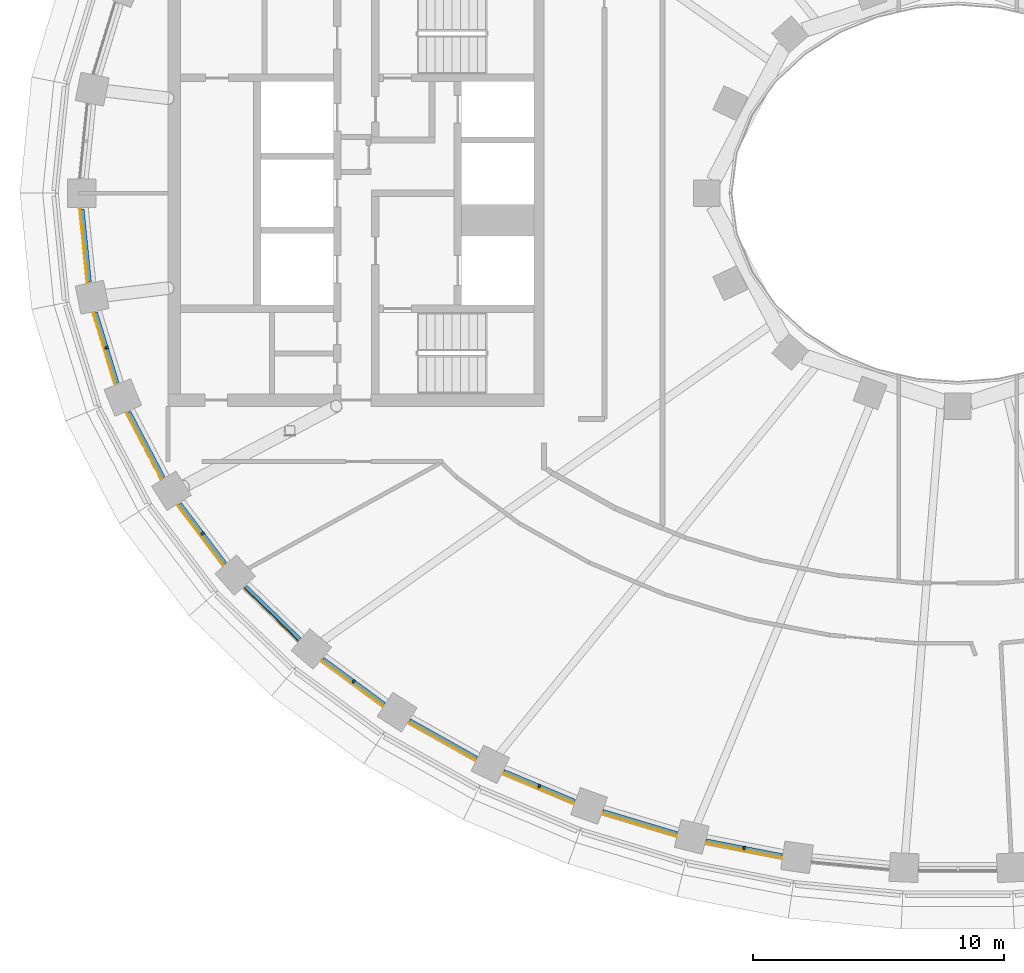
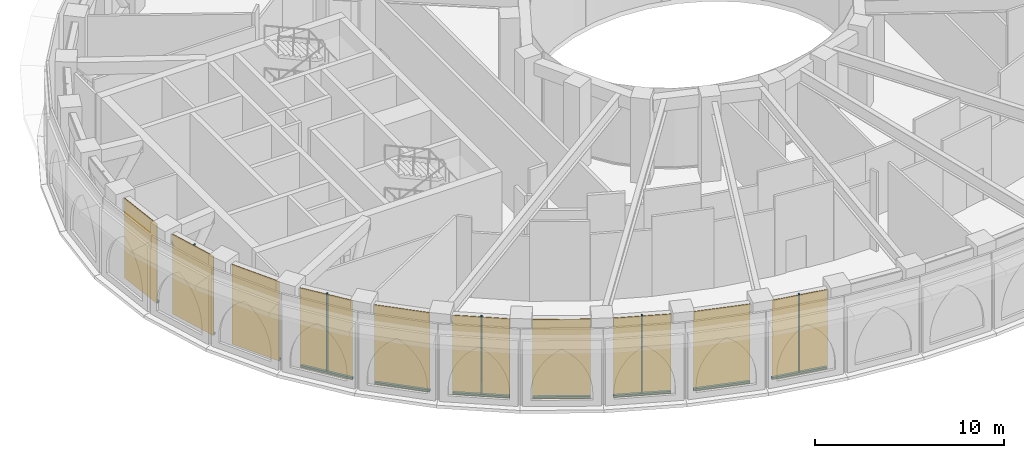
# One storey, part 12 of 25: 15 members, 10 curtain walls.
"""IFC4 building model written with IfcOpenShell, lengths in metres."""

from ifc_helpers import new_model, si_unit, direction, frame, origin, origin_2d, place, context, subcontext, project, spatial, polyline, rectangle, outline, extrude, material, layer, layer_set, material_profile, profile_set, type_object, element, aggregate, save


model = new_model("IFC4")

# Units and contexts
model_context = context("Model", 3, precision=1e-05, world=origin(), true_north=direction((0.0, 1.0)))
body_context = subcontext(model_context, "Body", "Model", "MODEL_VIEW")
ifc_project = project(units=[si_unit("LENGTHUNIT", "METRE"), si_unit("AREAUNIT", "SQUARE_METRE"), si_unit("VOLUMEUNIT", "CUBIC_METRE"), si_unit("PLANEANGLEUNIT", "RADIAN"), si_unit("MASSUNIT", "GRAM", prefix="KILO")], contexts=[model_context])

# Member
ifc_material_1 = material(Name="Aluminium 6063-T6 black anodised", Category="aluminium")
ifc_material_profile = material_profile(ifc_material_1, rectangle(XDim=0.14990234375, YDim=0.080078125, at=origin_2d()), Name="150x80")
ifc_profile_set = profile_set([ifc_material_profile], Name="Aluminium 6063-T6 black anodised")
member_type_1 = type_object("IfcMemberType", Name="ENV-MULLION-B-150", PredefinedType="MULLION", material=ifc_profile_set)
site_placement = place(None, origin())
building_placement = place(site_placement, origin())
storey_placement = place(building_placement, frame((0.0, 0.0, 198.0)))
member_1_placement = place(storey_placement, frame((-33.957275390625, -6.162109375, 0.1201171875), z_axis=(0.0, 0.0, 1.0), x_axis=(0.95636637957, 0.292170066961, 0.0)))
member_1 = element("IfcMember", 1, at=member_1_placement, type_object=member_type_1, Name="Mullion B chord 25", PredefinedType="MULLION", context=body_context, shape_type="SweptSolid", body=[
    extrude(rectangle(XDim=0.14990234375, YDim=0.080078125, at=origin_2d()), origin(), (0.0, 0.0, 1.0), 5.02978515625),
])

member_2_placement = place(storey_placement, frame((-30.12646484375, -13.576171875, 0.1201171875), z_axis=(0.0, 0.0, 1.0), x_axis=(0.796969018776, 0.604020184358, 0.0)))
member_2 = element("IfcMember", 2, at=member_2_placement, type_object=member_type_1, Name="Mullion B chord 27", PredefinedType="MULLION", context=body_context, shape_type="SweptSolid", body=[
    extrude(rectangle(XDim=0.14990234375, YDim=0.080078125, at=origin_2d()), origin(), (0.0, 0.0, 1.0), 5.02978515625),
])

member_3_placement = place(storey_placement, frame((-24.098388671875, -19.474365234375, 0.1201171875), z_axis=(0.0, 0.0, 1.0), x_axis=(0.593067090304, 0.805153045326, 0.0)))
member_3 = element("IfcMember", 3, at=member_3_placement, type_object=member_type_1, Name="Mullion B chord 29", PredefinedType="MULLION", context=body_context, shape_type="SweptSolid", body=[
    extrude(rectangle(XDim=0.14990234375, YDim=0.080078125, at=origin_2d()), origin(), (0.0, 0.0, 1.0), 5.02978515625),
])

member_4_placement = place(storey_placement, frame((-16.69482421875, -23.652587890625, 0.1201171875), z_axis=(0.0, 0.0, 1.0), x_axis=(0.387638279686, 0.921811566494, 0.0)))
member_4 = element("IfcMember", 4, at=member_4_placement, type_object=member_type_1, Name="Mullion B chord 31", PredefinedType="MULLION", context=body_context, shape_type="SweptSolid", body=[
    extrude(rectangle(XDim=0.14990234375, YDim=0.080078125, at=origin_2d()), origin(), (0.0, 0.0, 1.0), 5.02978515625),
])

member_5_placement = place(storey_placement, frame((-8.51953125, -26.12451171875, 0.1201171875), z_axis=(0.0, 0.0, 1.0), x_axis=(0.190820470077, 0.981624952922, 0.0)))
member_5 = element("IfcMember", 5, at=member_5_placement, type_object=member_type_1, Name="Mullion B chord 33", PredefinedType="MULLION", context=body_context, shape_type="SweptSolid", body=[
    extrude(rectangle(XDim=0.14990234375, YDim=0.080078125, at=origin_2d()), origin(), (0.0, 0.0, 1.0), 5.02978515625),
])

ifc_material_2 = material(Name="Aluminium 6063-T6 black anodised", Category="aluminium")
member_type_2 = type_object("IfcMemberType", Name="ENV-TRANSOM-B", PredefinedType="USERDEFINED", material=ifc_material_2)
member_6_placement = place(storey_placement, origin())
member_6 = element("IfcMember", 6, at=member_6_placement, type_object=member_type_2, Name="Transom B radial 24-25", ObjectType="TRANSOM", PredefinedType="USERDEFINED", context=body_context, shape_type="SweptSolid", body=[
    extrude(outline(polyline([(-35.000244140625, -0.62646484375), (-34.7060546875, -3.548583984375), (-34.55810546875, -3.51904296875), (-34.849365234375, -0.62646484375), (-35.000244140625, -0.62646484375)])), origin(), (0.0, 0.0, 1.0), 0.1201171875),
])

member_7_placement = place(storey_placement, origin())
member_7 = element("IfcMember", 7, at=member_7_placement, type_object=member_type_2, Name="Transom B radial 25-26", ObjectType="TRANSOM", PredefinedType="USERDEFINED", context=body_context, shape_type="SweptSolid", body=[
    extrude(outline(polyline([(-34.45947265625, -4.775146484375), (-33.59765625, -7.59619140625), (-33.4580078125, -7.5390625), (-34.3115234375, -4.745361328125), (-34.45947265625, -4.775146484375)])), origin(), (0.0, 0.0, 1.0), 0.1201171875),
])

member_8_placement = place(storey_placement, origin())
member_8 = element("IfcMember", 8, at=member_8_placement, type_object=member_type_2, Name="Transom B radial 26-27", ObjectType="TRANSOM", PredefinedType="USERDEFINED", context=body_context, shape_type="SweptSolid", body=[
    extrude(outline(polyline([(-33.125732421875, -8.748779296875), (-31.752197265625, -11.383544921875), (-31.625, -11.302978515625), (-32.986328125, -8.691650390625), (-33.125732421875, -8.748779296875)])), origin(), (0.0, 0.0, 1.0), 0.1201171875),
])

member_9_placement = place(storey_placement, origin())
member_9 = element("IfcMember", 9, at=member_9_placement, type_object=member_type_2, Name="Transom B radial 27-28", ObjectType="TRANSOM", PredefinedType="USERDEFINED", context=body_context, shape_type="SweptSolid", body=[
    extrude(outline(polyline([(-31.08984375, -12.42919921875), (-29.280029296875, -14.8173828125), (-29.167236328125, -14.7177734375), (-30.962646484375, -12.348876953125), (-31.08984375, -12.42919921875)])), origin(), (0.0, 0.0, 1.0), 0.1201171875),
])

member_10_placement = place(storey_placement, origin())
member_10 = element("IfcMember", 10, at=member_10_placement, type_object=member_type_2, Name="Transom B radial 28-29", ObjectType="TRANSOM", PredefinedType="USERDEFINED", context=body_context, shape_type="SweptSolid", body=[
    extrude(outline(polyline([(-28.465087890625, -15.73876953125), (-26.298583984375, -17.843505859375), (-26.201416015625, -17.72900390625), (-28.3525390625, -15.638916015625), (-28.465087890625, -15.73876953125)])), origin(), (0.0, 0.0, 1.0), 0.1201171875),
])

member_11_placement = place(storey_placement, origin())
member_11 = element("IfcMember", 11, at=member_11_placement, type_object=member_type_2, Name="Transom B radial 29-30", ObjectType="TRANSOM", PredefinedType="USERDEFINED", context=body_context, shape_type="SweptSolid", body=[
    extrude(outline(polyline([(-25.365966796875, -18.6337890625), (-22.916748046875, -20.43798828125), (-22.835205078125, -20.3115234375), (-25.268798828125, -18.519287109375), (-25.365966796875, -18.6337890625)])), origin(), (0.0, 0.0, 1.0), 0.1201171875),
])

member_12_placement = place(storey_placement, origin())
member_12 = element("IfcMember", 12, at=member_12_placement, type_object=member_type_2, Name="Transom B radial 30-31", ObjectType="TRANSOM", PredefinedType="USERDEFINED", context=body_context, shape_type="SweptSolid", body=[
    extrude(outline(polyline([(-21.894775390625, -21.097412109375), (-19.227294921875, -22.5947265625), (-19.1611328125, -22.459716796875), (-21.813232421875, -20.97119140625), (-21.894775390625, -21.097412109375)])), origin(), (0.0, 0.0, 1.0), 0.1201171875),
])

member_13_placement = place(storey_placement, origin())
member_13 = element("IfcMember", 13, at=member_13_placement, type_object=member_type_2, Name="Transom B radial 31-32", ObjectType="TRANSOM", PredefinedType="USERDEFINED", context=body_context, shape_type="SweptSolid", body=[
    extrude(outline(polyline([(-18.138916015625, -23.126708984375), (-15.306884765625, -24.317626953125), (-15.256103515625, -24.176513671875), (-18.072998046875, -22.99169921875), (-18.138916015625, -23.126708984375)])), origin(), (0.0, 0.0, 1.0), 0.1201171875),
])

member_14_placement = place(storey_placement, origin())
member_14 = element("IfcMember", 14, at=member_14_placement, type_object=member_type_2, Name="Transom B radial 32-33", ObjectType="TRANSOM", PredefinedType="USERDEFINED", context=body_context, shape_type="SweptSolid", body=[
    extrude(outline(polyline([(-14.170654296875, -24.726318359375), (-11.218994140625, -25.614501953125), (-11.18310546875, -25.46875), (-14.119873046875, -24.5849609375), (-14.170654296875, -24.726318359375)])), origin(), (0.0, 0.0, 1.0), 0.1201171875),
])

member_15_placement = place(storey_placement, origin())
member_15 = element("IfcMember", 15, at=member_15_placement, type_object=member_type_2, Name="Transom B radial 33-34", ObjectType="TRANSOM", PredefinedType="USERDEFINED", context=body_context, shape_type="SweptSolid", body=[
    extrude(outline(polyline([(-10.049560546875, -25.9033203125), (-7.01708984375, -26.492919921875), (-6.995849609375, -26.34423828125), (-10.013427734375, -25.757568359375), (-10.049560546875, -25.9033203125)])), origin(), (0.0, 0.0, 1.0), 0.1201171875),
])

# Site, building, storey
site = spatial("IfcSite", under=ifc_project, at=site_placement, CompositionType="ELEMENT")
building = spatial("IfcBuilding", under=site, at=building_placement, Name="Noorbagh Ring Tower", CompositionType="ELEMENT")
storey = spatial("IfcBuildingStorey", under=building, at=storey_placement, Name="L46", CompositionType="ELEMENT", Elevation=198.0)

# Curtain wall
ifc_material_3 = material(Name="Glass dark tinted laminated", Category="glass")
ifc_layer = layer(ifc_material_3, 0.031982421875)
ifc_layer_set = layer_set([ifc_layer], Name="Glass dark tinted laminated")
curtain_wall_type = type_object("IfcCurtainWallType", Name="ENV-CW-B", PredefinedType="NOTDEFINED", material=ifc_layer_set)
curtain_wall_1_placement = place(storey_placement, origin())
curtain_wall_1 = element("IfcCurtainWall", 16, at=curtain_wall_1_placement, inside=storey, type_object=curtain_wall_type, Name="Curtain wall B R24", PredefinedType="NOTDEFINED", context=body_context, shape_type="SweptSolid", body=[
    extrude(outline(polyline([(-35.032470703125, -0.62646484375), (-34.737548828125, -3.55517578125), (-34.7060546875, -3.548583984375), (-35.000244140625, -0.62646484375), (-35.032470703125, -0.62646484375)])), origin(), (0.0, 0.0, 1.0), 5.14990234375),
])

aggregate(curtain_wall_1, [member_6])

curtain_wall_2_placement = place(storey_placement, origin())
curtain_wall_2 = element("IfcCurtainWall", 17, at=curtain_wall_2_placement, inside=storey, type_object=curtain_wall_type, Name="Curtain wall B R25", PredefinedType="NOTDEFINED", context=body_context, shape_type="SweptSolid", body=[
    extrude(outline(polyline([(-34.490966796875, -4.781494140625), (-33.627197265625, -7.6083984375), (-33.59765625, -7.59619140625), (-34.45947265625, -4.775146484375), (-34.490966796875, -4.781494140625)])), origin(), (0.0, 0.0, 1.0), 5.14990234375),
])

aggregate(curtain_wall_2, [member_1, member_7])

curtain_wall_3_placement = place(storey_placement, origin())
curtain_wall_3 = element("IfcCurtainWall", 18, at=curtain_wall_3_placement, inside=storey, type_object=curtain_wall_type, Name="Curtain wall B R26", PredefinedType="NOTDEFINED", context=body_context, shape_type="SweptSolid", body=[
    extrude(outline(polyline([(-33.155517578125, -8.760986328125), (-31.779296875, -11.40087890625), (-31.752197265625, -11.383544921875), (-33.125732421875, -8.748779296875), (-33.155517578125, -8.760986328125)])), origin(), (0.0, 0.0, 1.0), 5.14990234375),
])

aggregate(curtain_wall_3, [member_8])

curtain_wall_4_placement = place(storey_placement, origin())
curtain_wall_4 = element("IfcCurtainWall", 19, at=curtain_wall_4_placement, inside=storey, type_object=curtain_wall_type, Name="Curtain wall B R27", PredefinedType="NOTDEFINED", context=body_context, shape_type="SweptSolid", body=[
    extrude(outline(polyline([(-31.116943359375, -12.446533203125), (-29.303955078125, -14.838623046875), (-29.280029296875, -14.8173828125), (-31.08984375, -12.42919921875), (-31.116943359375, -12.446533203125)])), origin(), (0.0, 0.0, 1.0), 5.14990234375),
])

aggregate(curtain_wall_4, [member_2, member_9])

curtain_wall_5_placement = place(storey_placement, origin())
curtain_wall_5 = element("IfcCurtainWall", 20, at=curtain_wall_5_placement, inside=storey, type_object=curtain_wall_type, Name="Curtain wall B R28", PredefinedType="NOTDEFINED", context=body_context, shape_type="SweptSolid", body=[
    extrude(outline(polyline([(-28.4892578125, -15.760009765625), (-26.3193359375, -17.8681640625), (-26.298583984375, -17.843505859375), (-28.465087890625, -15.73876953125), (-28.4892578125, -15.760009765625)])), origin(), (0.0, 0.0, 1.0), 5.14990234375),
])

aggregate(curtain_wall_5, [member_10])

curtain_wall_6_placement = place(storey_placement, origin())
curtain_wall_6 = element("IfcCurtainWall", 21, at=curtain_wall_6_placement, inside=storey, type_object=curtain_wall_type, Name="Curtain wall B R29", PredefinedType="NOTDEFINED", context=body_context, shape_type="SweptSolid", body=[
    extrude(outline(polyline([(-25.38671875, -18.658447265625), (-22.93408203125, -20.46484375), (-22.916748046875, -20.43798828125), (-25.365966796875, -18.6337890625), (-25.38671875, -18.658447265625)])), origin(), (0.0, 0.0, 1.0), 5.14990234375),
])

aggregate(curtain_wall_6, [member_3, member_11])

curtain_wall_7_placement = place(storey_placement, origin())
curtain_wall_7 = element("IfcCurtainWall", 22, at=curtain_wall_7_placement, inside=storey, type_object=curtain_wall_type, Name="Curtain wall B R30", PredefinedType="NOTDEFINED", context=body_context, shape_type="SweptSolid", body=[
    extrude(outline(polyline([(-21.912109375, -21.12451171875), (-19.2412109375, -22.62353515625), (-19.227294921875, -22.5947265625), (-21.894775390625, -21.097412109375), (-21.912109375, -21.12451171875)])), origin(), (0.0, 0.0, 1.0), 5.14990234375),
])

aggregate(curtain_wall_7, [member_12])

curtain_wall_8_placement = place(storey_placement, origin())
curtain_wall_8 = element("IfcCurtainWall", 23, at=curtain_wall_8_placement, inside=storey, type_object=curtain_wall_type, Name="Curtain wall B R31", PredefinedType="NOTDEFINED", context=body_context, shape_type="SweptSolid", body=[
    extrude(outline(polyline([(-18.153076171875, -23.155517578125), (-15.317626953125, -24.347900390625), (-15.306884765625, -24.317626953125), (-18.138916015625, -23.126708984375), (-18.153076171875, -23.155517578125)])), origin(), (0.0, 0.0, 1.0), 5.14990234375),
])

aggregate(curtain_wall_8, [member_4, member_13])

curtain_wall_9_placement = place(storey_placement, origin())
curtain_wall_9 = element("IfcCurtainWall", 24, at=curtain_wall_9_placement, inside=storey, type_object=curtain_wall_type, Name="Curtain wall B R32", PredefinedType="NOTDEFINED", context=body_context, shape_type="SweptSolid", body=[
    extrude(outline(polyline([(-14.181396484375, -24.75634765625), (-11.226806640625, -25.6455078125), (-11.218994140625, -25.614501953125), (-14.170654296875, -24.726318359375), (-14.181396484375, -24.75634765625)])), origin(), (0.0, 0.0, 1.0), 5.14990234375),
])

aggregate(curtain_wall_9, [member_14])

curtain_wall_10_placement = place(storey_placement, origin())
curtain_wall_10 = element("IfcCurtainWall", 25, at=curtain_wall_10_placement, inside=storey, type_object=curtain_wall_type, Name="Curtain wall B R33", PredefinedType="NOTDEFINED", context=body_context, shape_type="SweptSolid", body=[
    extrude(outline(polyline([(-10.05712890625, -25.9345703125), (-7.021728515625, -26.524658203125), (-7.01708984375, -26.492919921875), (-10.049560546875, -25.9033203125), (-10.05712890625, -25.9345703125)])), origin(), (0.0, 0.0, 1.0), 5.14990234375),
])

aggregate(curtain_wall_10, [member_5, member_15])

save(model, "model.ifc")
